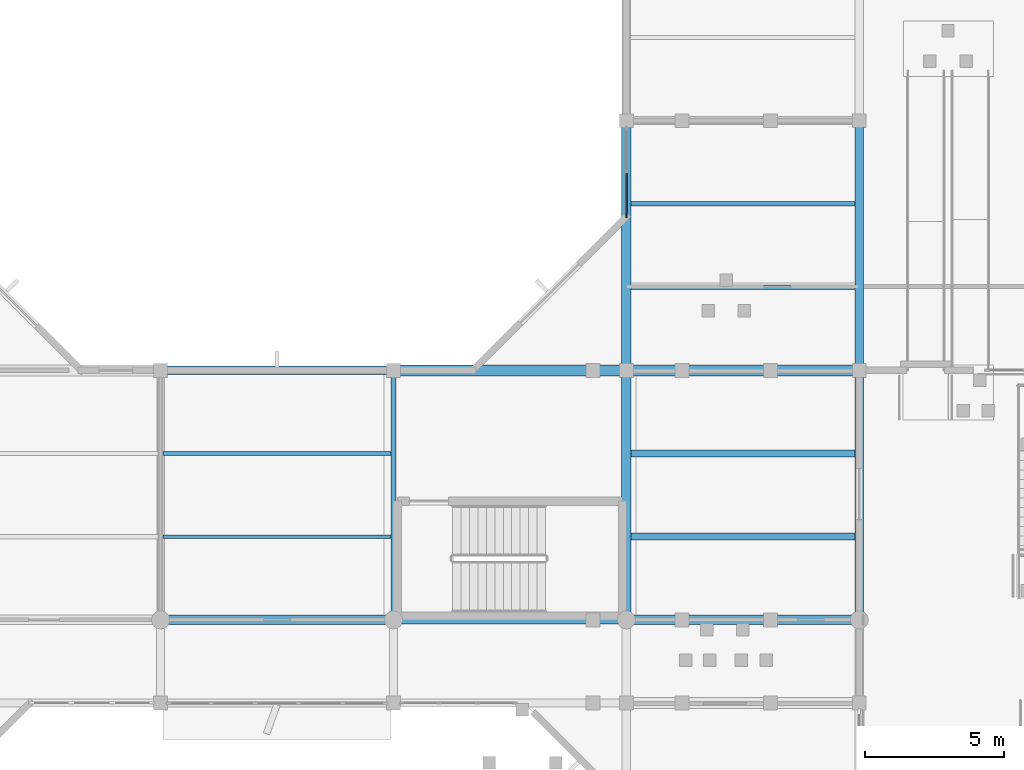
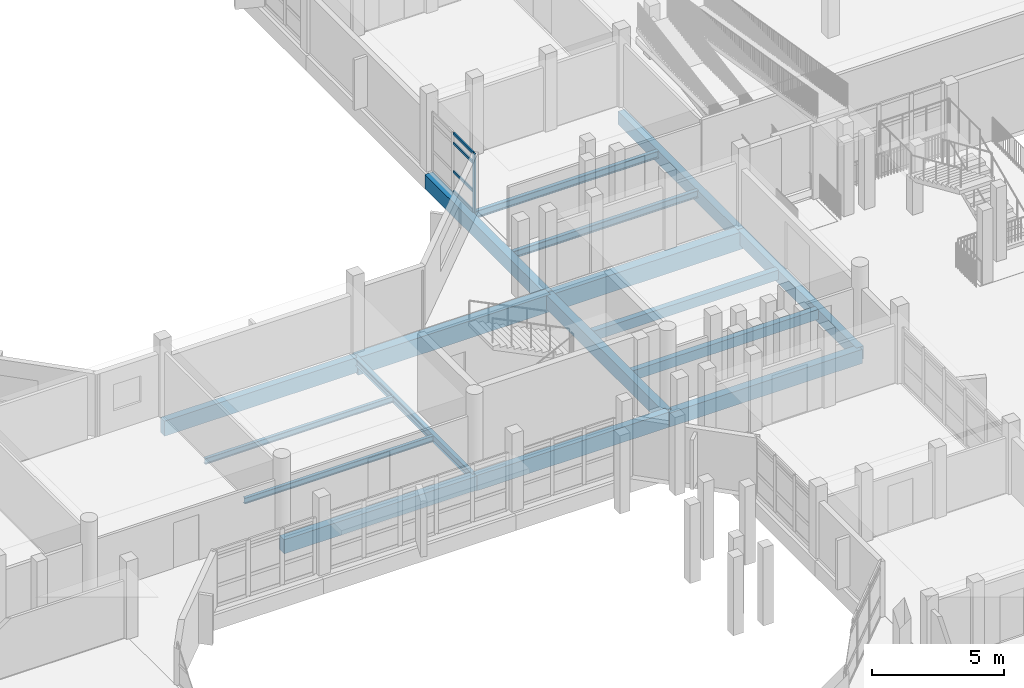
# One storey, part 25 of 104: 17 beams, 5 members, 1 element without a shape of its own.
"""IFC4 building model written with IfcOpenShell, lengths in metres."""

from ifc_helpers import new_model, si_unit, direction, frame, origin, origin_2d, place, context, subcontext, project, spatial, rectangle, i_section, extrude, material, material_profile, profile_set, type_object, element, aggregate, save


model = new_model("IFC4")

# Units and contexts
model_context = context("Model", 3, precision=1e-05, world=origin(), true_north=direction((0.0, 1.0)))
body_context = subcontext(model_context, "Body", "Model", "MODEL_VIEW")
ifc_project = project(units=[si_unit("LENGTHUNIT", "METRE"), si_unit("AREAUNIT", "SQUARE_METRE"), si_unit("VOLUMEUNIT", "CUBIC_METRE"), si_unit("PLANEANGLEUNIT", "RADIAN"), si_unit("MASSUNIT", "GRAM", prefix="KILO")], contexts=[model_context])

# Site, building, storey
site_placement = place(None, origin())
site = spatial("IfcSite", under=ifc_project, at=site_placement, CompositionType="ELEMENT")
building_placement = place(site_placement, origin())
building = spatial("IfcBuilding", under=site, at=building_placement, Name="Vanh Quang Courtyard School", CompositionType="ELEMENT")
storey_placement = place(building_placement, frame((0.0, 0.0, 4.199951171875)))
storey = spatial("IfcBuildingStorey", under=building, at=storey_placement, Name="L01", CompositionType="ELEMENT", Elevation=4.199951171875)

# Beams
ifc_material_1 = material(Name="Concrete C35/45", Category="concrete")
ifc_material_profile_1 = material_profile(ifc_material_1, rectangle(XDim=0.300048828125, YDim=0.60009765625, at=origin_2d()), Name="RC-BM 300x600")
ifc_profile_set_1 = profile_set([ifc_material_profile_1], Name="Concrete C35/45")
beam_type_1 = type_object("IfcBeamType", Name="BM-RC-300x600", PredefinedType="BEAM", material=ifc_profile_set_1)
for number, where, z_axis, x_axis, name in (
    (1, (119.39990234375, 32.39990234375, -0.619873046875), (0.0, 1.0, 0.0), (-1.0, 0.0, 0.0), "Beam B-06 (L01)"),
    (2, (119.39990234375, 41.39990234375, -0.619873046875), (0.0, 1.0, 0.0), (-1.0, 0.0, 0.0), "Beam B-06 (L01)"),
):
    element("IfcBeam", number, at=place(storey_placement, frame(where, z_axis=z_axis, x_axis=x_axis)), inside=storey, type_object=beam_type_1, Name=name, PredefinedType="BEAM", context=body_context, shape_type="SweptSolid", body=[
        extrude(rectangle(XDim=0.300048828125, YDim=0.60009765625, at=origin_2d()), origin(), (0.0, 0.0, 1.0), 9.0),
    ])
ifc_material_profile_2 = material_profile(ifc_material_1, rectangle(XDim=0.35009765625, YDim=0.64990234375, at=origin_2d()), Name="RC-BM 350x650")
ifc_profile_set_2 = profile_set([ifc_material_profile_2], Name="Concrete C35/45")
beam_type_2 = type_object("IfcBeamType", Name="BM-RC-350x650", PredefinedType="BEAM", material=ifc_profile_set_2)
beam_1_placement = place(storey_placement, frame((94.199951171875, 32.39990234375, -0.60498046875), z_axis=(1.0, 0.0, 0.0), x_axis=(0.0, 1.0, 0.0)))
element("IfcBeam", 3, at=beam_1_placement, inside=storey, type_object=beam_type_2, Name="Beam B-05 (L01)", PredefinedType="BEAM", context=body_context, shape_type="SweptSolid", body=[
    extrude(rectangle(XDim=0.35009765625, YDim=0.64990234375, at=origin_2d()), origin(), (0.0, 0.0, 1.0), 8.400146484375),
])
beam_2_placement = place(storey_placement, frame((111.0, 32.39990234375, -0.64501953125), z_axis=(1.0, 0.0, 0.0), x_axis=(0.0, 1.0, 0.0)))
element("IfcBeam", 4, at=beam_2_placement, inside=storey, type_object=beam_type_2, Name="Beam B-05 (L01)", PredefinedType="BEAM", context=body_context, shape_type="SweptSolid", body=[
    extrude(rectangle(XDim=0.35009765625, YDim=0.64990234375, at=origin_2d()), origin(), (0.0, 0.0, 1.0), 8.39990234375),
])
for number, where, z_axis, x_axis, name in (
    (5, (111.0, 32.39990234375, -0.60498046875), (0.0, 1.0, 0.0), (-1.0, 0.0, 0.0), "Beam B-05 (L01)"),
    (6, (111.0, 41.39990234375, -0.60498046875), (0.0, 1.0, 0.0), (-1.0, 0.0, 0.0), "Beam B-05 (L01)"),
):
    element("IfcBeam", number, at=place(storey_placement, frame(where, z_axis=z_axis, x_axis=x_axis)), inside=storey, type_object=beam_type_2, Name=name, PredefinedType="BEAM", context=body_context, shape_type="SweptSolid", body=[
        extrude(rectangle(XDim=0.35009765625, YDim=0.64990234375, at=origin_2d()), origin(), (0.0, 0.0, 1.0), 9.0),
    ])
ifc_material_profile_3 = material_profile(ifc_material_1, rectangle(XDim=0.39990234375, YDim=0.800048828125, at=origin_2d()), Name="RC-BM 400x800")
ifc_profile_set_3 = profile_set([ifc_material_profile_3], Name="Concrete C35/45")
beam_type_3 = type_object("IfcBeamType", Name="BM-RC-400x800", PredefinedType="BEAM", material=ifc_profile_set_3)
for number, where, z_axis, x_axis, name in (
    (7, (102.60009765625, 41.39990234375, -0.679931640625), (1.0, 0.0, 0.0), (0.0, 1.0, 0.0), "Beam B-02 (L01)"),
    (8, (111.0, 41.39990234375, -0.719970703125), (1.0, 0.0, 0.0), (0.0, 1.0, 0.0), "Beam B-02 (L01)"),
):
    element("IfcBeam", number, at=place(storey_placement, frame(where, z_axis=z_axis, x_axis=x_axis)), inside=storey, type_object=beam_type_3, Name=name, PredefinedType="BEAM", context=body_context, shape_type="SweptSolid", body=[
        extrude(rectangle(XDim=0.39990234375, YDim=0.800048828125, at=origin_2d()), origin(), (0.0, 0.0, 1.0), 8.39990234375),
    ])
ifc_material_profile_4 = material_profile(ifc_material_1, rectangle(XDim=0.300048828125, YDim=0.699951171875, at=origin_2d()), Name="RC-SP 300x700")
ifc_profile_set_4 = profile_set([ifc_material_profile_4], Name="Concrete C35/45")
beam_type_4 = type_object("IfcBeamType", Name="BM-SP-300x700", PredefinedType="SPANDREL", material=ifc_profile_set_4)
beam_3_placement = place(storey_placement, frame((102.60009765625, 32.39990234375, -0.6298828125), z_axis=(1.0, 0.0, 0.0), x_axis=(0.0, 1.0, 0.0)))
element("IfcBeam", 9, at=beam_3_placement, inside=storey, type_object=beam_type_4, Name="Beam BS-01 (L01)", PredefinedType="SPANDREL", context=body_context, shape_type="SweptSolid", body=[
    extrude(rectangle(XDim=0.300048828125, YDim=0.699951171875, at=origin_2d()), origin(), (0.0, 0.0, 1.0), 8.39990234375),
])
beam_4_placement = place(storey_placement, frame((94.199951171875, 41.39990234375, -0.6298828125), z_axis=(1.0, 0.0, 0.0), x_axis=(0.0, 1.0, 0.0)))
element("IfcBeam", 10, at=beam_4_placement, inside=storey, type_object=beam_type_4, Name="Beam BS-01 (L01)", PredefinedType="SPANDREL", context=body_context, shape_type="SweptSolid", body=[
    extrude(rectangle(XDim=0.300048828125, YDim=0.699951171875, at=origin_2d()), origin(), (0.0, 0.0, 1.0), 8.400146484375),
])
ifc_material_2 = material(Name="Structural steel EN 10025-2 S355J2", Category="steel")
ifc_material_profile_5 = material_profile(ifc_material_2, i_section(OverallWidth=0.169921875, OverallDepth=0.360107421875, WebThickness=0.008056640625, FlangeThickness=0.0126953125, FilletRadius=0.01806640625, at=origin_2d()), Name="IPE 360")
ifc_profile_set_5 = profile_set([ifc_material_profile_5], Name="Structural steel EN 10025-2 S355J2")
beam_type_5 = type_object("IfcBeamType", Name="BM-STL-IPE360", PredefinedType="BEAM", material=ifc_profile_set_5)
beam_5_placement = place(storey_placement, frame((102.60009765625, 32.39990234375, -0.4599609375), z_axis=(0.0, 1.0, 0.0), x_axis=(-1.0, 0.0, 0.0)))
element("IfcBeam", 11, at=beam_5_placement, inside=storey, type_object=beam_type_5, Name="Beam SB-06 (L01)", PredefinedType="BEAM", context=body_context, shape_type="SweptSolid", body=[
    extrude(i_section(OverallWidth=0.169921875, OverallDepth=0.360107421875, WebThickness=0.008056640625, FlangeThickness=0.0126953125, FilletRadius=0.01806640625, at=origin_2d()), origin(), (0.0, 0.0, 1.0), 9.0),
])

# Curtain wall, members
ifc_material_3 = material(Name="Thermally broken aluminium unitised curtain wall", Category="aluminium")
curtain_wall_type = type_object("IfcCurtainWallType", Name="CW-SYS-43", PredefinedType="NOTDEFINED", material=ifc_material_3)
curtain_wall_placement = place(storey_placement, origin())
curtain_wall = element("IfcCurtainWall", 12, at=curtain_wall_placement, inside=storey, type_object=curtain_wall_type, Name="Curtain Wall CW-43 (L01)", PredefinedType="NOTDEFINED")
ifc_material_4 = material(Name="Anodised aluminium 6063-T6", Category="aluminium")
ifc_material_profile_6 = material_profile(ifc_material_4, rectangle(XDim=0.06005859375, YDim=0.159912109375, at=origin_2d()), Name="ALU-MUL 60x160")
ifc_profile_set_6 = profile_set([ifc_material_profile_6], Name="Anodised aluminium 6063-T6")
member_type_1 = type_object("IfcMemberType", Name="CW-MUL-60x160", PredefinedType="MULLION", material=ifc_profile_set_6)
member_1_placement = place(storey_placement, frame((111.0, 46.97412109375, 0.0), z_axis=(0.0, 0.0, 1.0), x_axis=(-1.0, 0.0, 0.0)))
member_1 = element("IfcMember", 13, at=member_1_placement, type_object=member_type_1, Name="CW-43 mullion 1", PredefinedType="MULLION", context=body_context, shape_type="SweptSolid", body=[
    extrude(rectangle(XDim=0.06005859375, YDim=0.159912109375, at=origin_2d()), origin(), (0.0, 0.0, 1.0), 2.719970703125),
])
ifc_material_profile_7 = material_profile(ifc_material_4, rectangle(XDim=0.06005859375, YDim=0.1201171875, at=origin_2d()), Name="ALU-TRN 60x120")
ifc_profile_set_7 = profile_set([ifc_material_profile_7], Name="Anodised aluminium 6063-T6")
member_type_2 = type_object("IfcMemberType", Name="CW-TRN-60x120", PredefinedType="USERDEFINED", material=ifc_profile_set_7)
member_2_placement = place(storey_placement, frame((111.0, 47.00390625, 0.030029296875), z_axis=(0.0, 1.0, 0.0), x_axis=(-1.0, 0.0, 0.0)))
member_2 = element("IfcMember", 14, at=member_2_placement, type_object=member_type_2, Name="CW-43 transom 1.1", ObjectType="TRANSOM", PredefinedType="USERDEFINED", context=body_context, shape_type="SweptSolid", body=[
    extrude(rectangle(XDim=0.06005859375, YDim=0.1201171875, at=origin_2d()), origin(), (0.0, 0.0, 1.0), 1.509033203125),
])
member_3_placement = place(storey_placement, frame((111.0, 47.00390625, 0.949951171875), z_axis=(0.0, 1.0, 0.0), x_axis=(-1.0, 0.0, 0.0)))
member_3 = element("IfcMember", 15, at=member_3_placement, type_object=member_type_2, Name="CW-43 transom 1.2", ObjectType="TRANSOM", PredefinedType="USERDEFINED", context=body_context, shape_type="SweptSolid", body=[
    extrude(rectangle(XDim=0.06005859375, YDim=0.1201171875, at=origin_2d()), origin(), (0.0, 0.0, 1.0), 1.509033203125),
])
member_4_placement = place(storey_placement, frame((111.0, 47.00390625, 2.25), z_axis=(0.0, 1.0, 0.0), x_axis=(-1.0, 0.0, 0.0)))
member_4 = element("IfcMember", 16, at=member_4_placement, type_object=member_type_2, Name="CW-43 transom 1.3", ObjectType="TRANSOM", PredefinedType="USERDEFINED", context=body_context, shape_type="SweptSolid", body=[
    extrude(rectangle(XDim=0.06005859375, YDim=0.1201171875, at=origin_2d()), origin(), (0.0, 0.0, 1.0), 1.509033203125),
])
member_5_placement = place(storey_placement, frame((111.0, 47.00390625, 2.68994140625), z_axis=(0.0, 1.0, 0.0), x_axis=(-1.0, 0.0, 0.0)))
member_5 = element("IfcMember", 17, at=member_5_placement, type_object=member_type_2, Name="CW-43 transom 1.4", ObjectType="TRANSOM", PredefinedType="USERDEFINED", context=body_context, shape_type="SweptSolid", body=[
    extrude(rectangle(XDim=0.06005859375, YDim=0.1201171875, at=origin_2d()), origin(), (0.0, 0.0, 1.0), 1.509033203125),
])
aggregate(curtain_wall, [member_1, member_2, member_3, member_4, member_5])

# Beams
ifc_material_5 = material(Name="Concrete C30/37", Category="concrete")
ifc_material_profile_8 = material_profile(ifc_material_5, rectangle(XDim=0.25, YDim=0.449951171875, at=origin_2d()), Name="RC-JST 250x450")
ifc_profile_set_8 = profile_set([ifc_material_profile_8], Name="Concrete C30/37")
beam_type_6 = type_object("IfcBeamType", Name="JST-RC-250x450", PredefinedType="JOIST", material=ifc_profile_set_8)
for number, where, z_axis, x_axis, name in (
    (18, (111.175048828125, 35.39990234375, -0.5048828125), (1.0, 0.0, 0.0), (0.0, 1.0, 0.0), "Beam BJ-02 (L01)"),
    (19, (111.175048828125, 38.39990234375, -0.5048828125), (1.0, 0.0, 0.0), (0.0, 1.0, 0.0), "Beam BJ-02 (L01)"),
):
    element("IfcBeam", number, at=place(storey_placement, frame(where, z_axis=z_axis, x_axis=x_axis)), inside=storey, type_object=beam_type_6, Name=name, PredefinedType="JOIST", context=body_context, shape_type="SweptSolid", body=[
        extrude(rectangle(XDim=0.25, YDim=0.449951171875, at=origin_2d()), origin(), (0.0, 0.0, 1.0), 8.074951171875),
    ])
ifc_material_profile_9 = material_profile(ifc_material_2, i_section(OverallWidth=0.135009765625, OverallDepth=0.27001953125, WebThickness=0.006591796875, FlangeThickness=0.01025390625, FilletRadius=0.014892578125, at=origin_2d()), Name="IPE 270")
ifc_profile_set_9 = profile_set([ifc_material_profile_9], Name="Structural steel EN 10025-2 S355J2")
beam_type_7 = type_object("IfcBeamType", Name="JST-STL-IPE270", PredefinedType="JOIST", material=ifc_profile_set_9)
for number, where, z_axis, x_axis, name in (
    (20, (94.2900390625, 35.39990234375, -0.4150390625), (1.0, 0.0, 0.0), (0.0, 1.0, 0.0), "Beam SJ-03 (L01)"),
    (21, (94.2900390625, 38.39990234375, -0.4150390625), (1.0, 0.0, 0.0), (0.0, 1.0, 0.0), "Beam SJ-03 (L01)"),
):
    element("IfcBeam", number, at=place(storey_placement, frame(where, z_axis=z_axis, x_axis=x_axis)), inside=storey, type_object=beam_type_7, Name=name, PredefinedType="JOIST", context=body_context, shape_type="SweptSolid", body=[
        extrude(i_section(OverallWidth=0.135009765625, OverallDepth=0.27001953125, WebThickness=0.006591796875, FlangeThickness=0.01025390625, FilletRadius=0.014892578125, at=origin_2d()), origin(), (0.0, 0.0, 1.0), 8.224853515625),
    ])
ifc_material_profile_10 = material_profile(ifc_material_2, i_section(OverallWidth=0.159912109375, OverallDepth=0.330078125, WebThickness=0.007568359375, FlangeThickness=0.011474609375, FilletRadius=0.01806640625, at=origin_2d()), Name="IPE 330")
ifc_profile_set_10 = profile_set([ifc_material_profile_10], Name="Structural steel EN 10025-2 S355J2")
beam_type_8 = type_object("IfcBeamType", Name="JST-STL-IPE330", PredefinedType="JOIST", material=ifc_profile_set_10)
for number, where, z_axis, x_axis, name in (
    (22, (111.175048828125, 44.39990234375, -0.445068359375), (1.0, 0.0, 0.0), (0.0, 1.0, 0.0), "Beam SJ-01 (L01)"),
    (23, (111.175048828125, 47.39990234375, -0.445068359375), (1.0, 0.0, 0.0), (0.0, 1.0, 0.0), "Beam SJ-01 (L01)"),
):
    element("IfcBeam", number, at=place(storey_placement, frame(where, z_axis=z_axis, x_axis=x_axis)), inside=storey, type_object=beam_type_8, Name=name, PredefinedType="JOIST", context=body_context, shape_type="SweptSolid", body=[
        extrude(i_section(OverallWidth=0.159912109375, OverallDepth=0.330078125, WebThickness=0.007568359375, FlangeThickness=0.011474609375, FilletRadius=0.01806640625, at=origin_2d()), origin(), (0.0, 0.0, 1.0), 8.074951171875),
    ])

save(model, "model.ifc")
